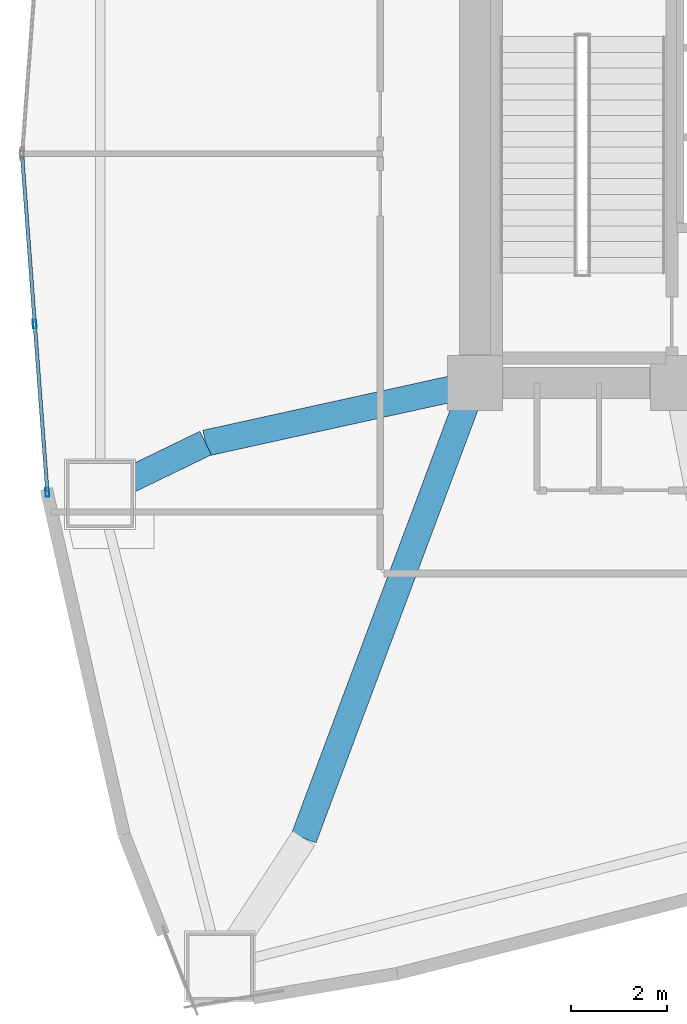
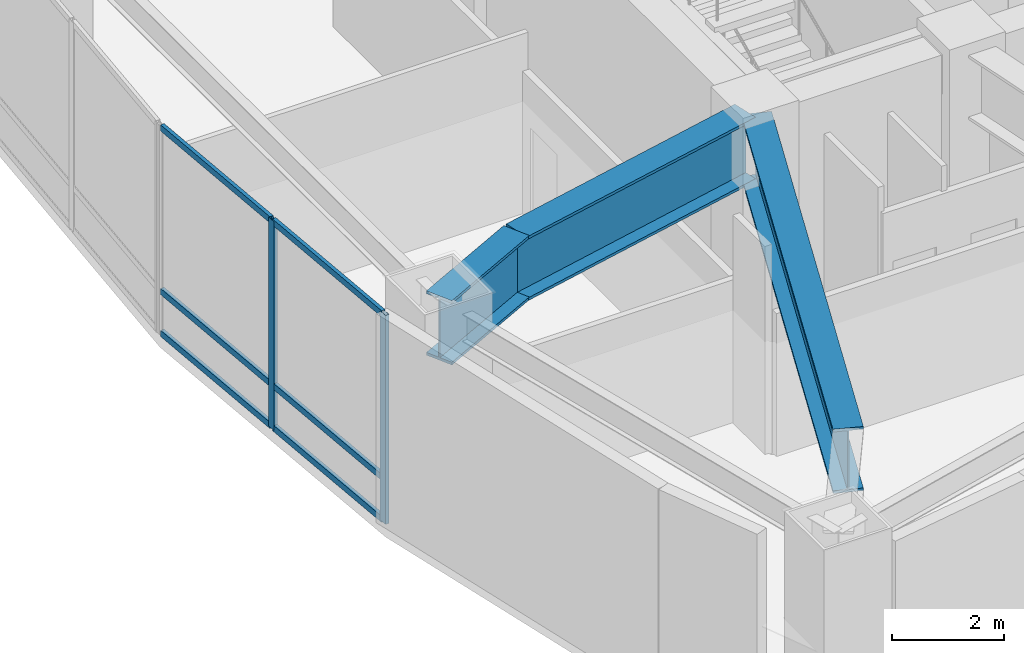
# One storey, part 3 of 19: 8 members, 3 beams, 1 element without a shape of its own.
"""IFC4 building model written with IfcOpenShell, lengths in metres."""

from ifc_helpers import new_model, si_unit, direction, frame, origin, origin_2d, place, context, subcontext, project, spatial, hollow_rectangle, i_section, extrude, material, layer, layer_set, material_profile, profile_set, type_object, element, aggregate, save


model = new_model("IFC4")

# Units and contexts
model_context = context("Model", 3, precision=1e-05, world=origin(), true_north=direction((0.0, 1.0)))
body_context = subcontext(model_context, "Body", "Model", "MODEL_VIEW")
ifc_project = project(units=[si_unit("LENGTHUNIT", "METRE"), si_unit("AREAUNIT", "SQUARE_METRE"), si_unit("VOLUMEUNIT", "CUBIC_METRE"), si_unit("PLANEANGLEUNIT", "RADIAN"), si_unit("MASSUNIT", "GRAM", prefix="KILO")], contexts=[model_context])

# Site, building, storey
site_placement = place(None, origin())
site = spatial("IfcSite", under=ifc_project, at=site_placement, CompositionType="ELEMENT")
building_placement = place(site_placement, origin())
building = spatial("IfcBuilding", under=site, at=building_placement, Name="Menara Vayukalpa", CompositionType="ELEMENT")
storey_placement = place(building_placement, frame((0.0, 0.0, 22.800048828125)))
storey = spatial("IfcBuildingStorey", under=building, at=storey_placement, Name="L04", CompositionType="ELEMENT", Elevation=22.800048828125)

# Beams
ifc_material_1 = material(Name="Steel S460", Category="steel")
ifc_material_profile_1 = material_profile(ifc_material_1, i_section(OverallWidth=0.550048828125, OverallDepth=1.39990234375, WebThickness=0.031982421875, FlangeThickness=0.06005859375, at=origin_2d()), Name="WG 1400x550x32x60")
ifc_profile_set_1 = profile_set([ifc_material_profile_1], Name="Steel S460")
beam_type = type_object("IfcBeamType", Name="BM-TG1", PredefinedType="BEAM", material=ifc_profile_set_1)
beam_1_placement = place(storey_placement, frame((17.560302734375, 17.12890625, 3.849853515625), z_axis=(-0.976592885771, -0.215096107499, 0.0), x_axis=(0.215096107499, -0.976592885771, 0.0)))
element("IfcBeam", 1, at=beam_1_placement, inside=storey, type_object=beam_type, Name="L04 Radial Transfer Girder Inner 06", PredefinedType="BEAM", context=body_context, shape_type="SweptSolid", body=[
    extrude(i_section(OverallWidth=0.550048828125, OverallDepth=1.39990234375, WebThickness=0.031982421875, FlangeThickness=0.06005859375, at=origin_2d()), origin(), (0.0, 0.0, 1.0), 5.525390625),
])
beam_2_placement = place(storey_placement, frame((12.164306640625, 15.9404296875, 3.849853515625), z_axis=(-0.90034765526, -0.435171345182, 0.0), x_axis=(0.435171345182, -0.90034765526, 0.0)))
element("IfcBeam", 2, at=beam_2_placement, inside=storey, type_object=beam_type, Name="L04 Radial Transfer Girder Outer 06", PredefinedType="BEAM", context=body_context, shape_type="SweptSolid", body=[
    extrude(i_section(OverallWidth=0.550048828125, OverallDepth=1.39990234375, WebThickness=0.031982421875, FlangeThickness=0.06005859375, at=origin_2d()), origin(), (0.0, 0.0, 1.0), 2.457275390625),
])
beam_3_placement = place(storey_placement, frame((17.699951171875, 16.970947265625, 3.849853515625), z_axis=(-0.350495933593, -0.936564253287, 0.0), x_axis=(0.936564253287, -0.350495933593, 0.0)))
element("IfcBeam", 3, at=beam_3_placement, inside=storey, type_object=beam_type, Name="L04 Radial Transfer Girder Inner 07", PredefinedType="BEAM", context=body_context, shape_type="SweptSolid", body=[
    extrude(i_section(OverallWidth=0.550048828125, OverallDepth=1.39990234375, WebThickness=0.031982421875, FlangeThickness=0.06005859375, at=origin_2d()), origin(), (0.0, 0.0, 1.0), 9.935791015625),
])

# Curtain wall, members
ifc_material_2 = material(Name="Anodised Terracotta Aluminium Alloy 6063-T6", Category="masonry")
ifc_layer = layer(ifc_material_2, 0.179931640625)
ifc_layer_set = layer_set([ifc_layer], Name="Anodised Terracotta Aluminium Alloy 6063-T6")
curtain_wall_type = type_object("IfcCurtainWallType", Name="CW-CW1", PredefinedType="USERDEFINED", material=ifc_layer_set)
curtain_wall_placement = place(storey_placement, origin())
curtain_wall = element("IfcCurtainWall", 4, at=curtain_wall_placement, inside=storey, type_object=curtain_wall_type, Name="L04 Podium Unitised Ribbon Curtain Wall CW1 11", ObjectType="UNITISED", PredefinedType="USERDEFINED")
ifc_material_3 = material(Name="Anodised Terracotta Aluminium Alloy 6063-T6", Category="masonry")
ifc_material_profile_2 = material_profile(ifc_material_3, hollow_rectangle(XDim=0.074951171875, YDim=0.179931640625, WallThickness=0.00390625, at=origin_2d()), Name="ALU 75x180x4")
ifc_profile_set_2 = profile_set([ifc_material_profile_2], Name="Anodised Terracotta Aluminium Alloy 6063-T6")
member_type_1 = type_object("IfcMemberType", Name="CWM-CW1", PredefinedType="MULLION", material=ifc_profile_set_2)
member_1_placement = place(storey_placement, frame((8.584716796875, 18.435546875, 0.0), z_axis=(0.0, 0.0, 1.0), x_axis=(0.997198970825, 0.074794468953, 0.0)))
member_1 = element("IfcMember", 5, at=member_1_placement, type_object=member_type_1, Name="CW1 mullion 2", PredefinedType="MULLION", context=body_context, shape_type="SweptSolid", body=[
    extrude(hollow_rectangle(XDim=0.074951171875, YDim=0.179931640625, WallThickness=0.00390625, at=origin_2d()), origin(), (0.0, 0.0, 1.0), 4.550048828125),
])
member_2_placement = place(storey_placement, frame((8.84912109375, 14.908447265625, 0.0), z_axis=(0.0, 0.0, 1.0), x_axis=(0.997198970825, 0.074794468953, 0.0)))
member_2 = element("IfcMember", 6, at=member_2_placement, type_object=member_type_1, Name="CW1 mullion 3", PredefinedType="MULLION", context=body_context, shape_type="SweptSolid", body=[
    extrude(hollow_rectangle(XDim=0.074951171875, YDim=0.179931640625, WallThickness=0.00390625, at=origin_2d()), origin(), (0.0, 0.0, 1.0), 4.550048828125),
])
ifc_material_4 = material(Name="Anodised Terracotta Aluminium Alloy 6063-T6", Category="masonry")
ifc_material_profile_3 = material_profile(ifc_material_4, hollow_rectangle(XDim=0.074951171875, YDim=0.135009765625, WallThickness=0.00390625, at=origin_2d()), Name="ALU 75x135x4")
ifc_profile_set_3 = profile_set([ifc_material_profile_3], Name="Anodised Terracotta Aluminium Alloy 6063-T6")
member_type_2 = type_object("IfcMemberType", Name="CWT-CW1", PredefinedType="USERDEFINED", material=ifc_profile_set_3)
member_3_placement = place(storey_placement, frame((8.322998046875, 21.92529296875, 0.037353515625), z_axis=(0.074749626841, -0.997202333174, 0.0), x_axis=(0.997202333174, 0.074749626841, 0.0)))
member_3 = element("IfcMember", 7, at=member_3_placement, type_object=member_type_2, Name="CW1 transom 1.1", ObjectType="TRANSOM", PredefinedType="USERDEFINED", context=body_context, shape_type="SweptSolid", body=[
    extrude(hollow_rectangle(XDim=0.074951171875, YDim=0.135009765625, WallThickness=0.00390625, at=origin_2d()), origin(), (0.0, 0.0, 1.0), 3.462158203125),
])
member_4_placement = place(storey_placement, frame((8.322998046875, 21.92529296875, 0.949951171875), z_axis=(0.074749626841, -0.997202333174, 0.0), x_axis=(0.997202333174, 0.074749626841, 0.0)))
member_4 = element("IfcMember", 8, at=member_4_placement, type_object=member_type_2, Name="CW1 transom 1.2", ObjectType="TRANSOM", PredefinedType="USERDEFINED", context=body_context, shape_type="SweptSolid", body=[
    extrude(hollow_rectangle(XDim=0.074951171875, YDim=0.135009765625, WallThickness=0.00390625, at=origin_2d()), origin(), (0.0, 0.0, 1.0), 3.462158203125),
])
member_5_placement = place(storey_placement, frame((8.322998046875, 21.92529296875, 4.512451171875), z_axis=(0.074749626841, -0.997202333174, 0.0), x_axis=(0.997202333174, 0.074749626841, 0.0)))
member_5 = element("IfcMember", 9, at=member_5_placement, type_object=member_type_2, Name="CW1 transom 1.3", ObjectType="TRANSOM", PredefinedType="USERDEFINED", context=body_context, shape_type="SweptSolid", body=[
    extrude(hollow_rectangle(XDim=0.074951171875, YDim=0.135009765625, WallThickness=0.00390625, at=origin_2d()), origin(), (0.0, 0.0, 1.0), 3.462158203125),
])
member_6_placement = place(storey_placement, frame((8.58740234375, 18.398193359375, 0.037353515625), z_axis=(0.07481975078, -0.99719707425, 0.0), x_axis=(0.99719707425, 0.07481975078, 0.0)))
member_6 = element("IfcMember", 10, at=member_6_placement, type_object=member_type_2, Name="CW1 transom 2.1", ObjectType="TRANSOM", PredefinedType="USERDEFINED", context=body_context, shape_type="SweptSolid", body=[
    extrude(hollow_rectangle(XDim=0.074951171875, YDim=0.135009765625, WallThickness=0.00390625, at=origin_2d()), origin(), (0.0, 0.0, 1.0), 3.462158203125),
])
member_7_placement = place(storey_placement, frame((8.58740234375, 18.398193359375, 0.949951171875), z_axis=(0.07481975078, -0.99719707425, 0.0), x_axis=(0.99719707425, 0.07481975078, 0.0)))
member_7 = element("IfcMember", 11, at=member_7_placement, type_object=member_type_2, Name="CW1 transom 2.2", ObjectType="TRANSOM", PredefinedType="USERDEFINED", context=body_context, shape_type="SweptSolid", body=[
    extrude(hollow_rectangle(XDim=0.074951171875, YDim=0.135009765625, WallThickness=0.00390625, at=origin_2d()), origin(), (0.0, 0.0, 1.0), 3.462158203125),
])
member_8_placement = place(storey_placement, frame((8.58740234375, 18.398193359375, 4.512451171875), z_axis=(0.07481975078, -0.99719707425, 0.0), x_axis=(0.99719707425, 0.07481975078, 0.0)))
member_8 = element("IfcMember", 12, at=member_8_placement, type_object=member_type_2, Name="CW1 transom 2.3", ObjectType="TRANSOM", PredefinedType="USERDEFINED", context=body_context, shape_type="SweptSolid", body=[
    extrude(hollow_rectangle(XDim=0.074951171875, YDim=0.135009765625, WallThickness=0.00390625, at=origin_2d()), origin(), (0.0, 0.0, 1.0), 3.462158203125),
])
aggregate(curtain_wall, [member_1, member_2, member_3, member_4, member_5, member_6, member_7, member_8])

save(model, "model.ifc")
